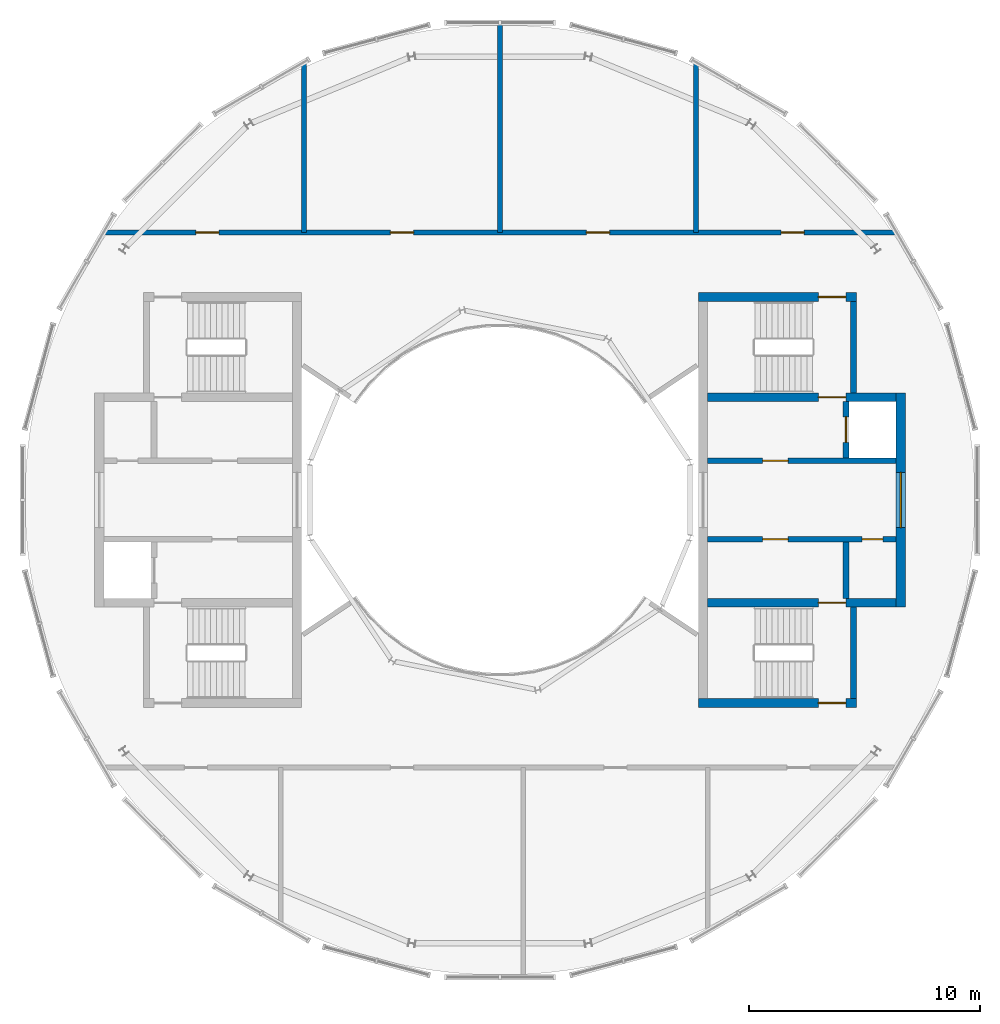
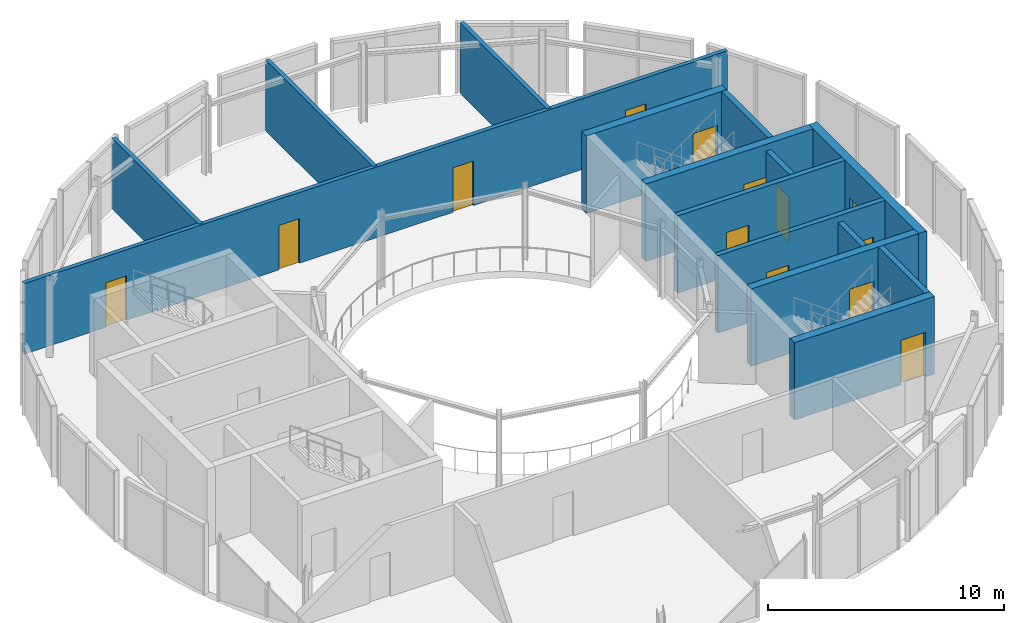
# One storey, part 9 of 12: 15 walls, 12 doors, 1 window, 13 openings.
"""IFC4 building model written with IfcOpenShell, lengths in metres."""

from ifc_helpers import new_model, si_unit, direction, frame, frame_2d, origin, place, context, subcontext, project, spatial, rectangle, extrude, material, layer, layer_set, type_object, element, fill, save


model = new_model("IFC4")

# Units and contexts
model_context = context("Model", 3, precision=1e-05, world=origin(), true_north=direction((0.0, 1.0)))
body_context = subcontext(model_context, "Body", "Model", "MODEL_VIEW")
ifc_project = project(units=[si_unit("LENGTHUNIT", "METRE"), si_unit("AREAUNIT", "SQUARE_METRE"), si_unit("VOLUMEUNIT", "CUBIC_METRE"), si_unit("PLANEANGLEUNIT", "RADIAN"), si_unit("MASSUNIT", "GRAM", prefix="KILO")], contexts=[model_context])

# Site, building, storey
site_placement = place(None, origin())
site = spatial("IfcSite", under=ifc_project, at=site_placement, CompositionType="ELEMENT")
building_placement = place(site_placement, origin())
building = spatial("IfcBuilding", under=site, at=building_placement, Name="Maasbend Ring Residences", CompositionType="ELEMENT")
storey_placement = place(building_placement, frame((0.0, 0.0, 261.5)))
storey = spatial("IfcBuildingStorey", under=building, at=storey_placement, Name="L75", CompositionType="ELEMENT", Elevation=261.5)

# Walls
ifc_material_1 = material(Name="Concrete C30/37", Category="concrete")
ifc_layer_1 = layer(ifc_material_1, 0.199951171875)
ifc_layer_set_1 = layer_set([ifc_layer_1], Name="Concrete C30/37")
wall_type_1 = type_object("IfcWallType", Name="COMPARTMENT WALL 200 CONCRETE", PredefinedType="PARTITIONING", material=ifc_layer_set_1)
wall_1_placement = place(storey_placement, frame((8.5, 11.60009765625, 0.0), z_axis=(0.0, 0.0, 1.0), x_axis=(0.0, 1.0, 0.0)))
element("IfcWall", 1, at=wall_1_placement, inside=storey, type_object=wall_type_1, Name="U-L75-w003", PredefinedType="PARTITIONING", context=body_context, shape_type="SweptSolid", body=[
    extrude(rectangle(XDim=7.365966796875, YDim=0.199951171875, at=frame_2d((3.68310546875, 0.0))), origin(), (0.0, 0.0, 1.0), 3.64990234375),
])
wall_2_placement = place(storey_placement, frame((0.0, 11.60009765625, 0.0), z_axis=(0.0, 0.0, 1.0), x_axis=(0.0, 1.0, 0.0)))
element("IfcWall", 2, at=wall_2_placement, inside=storey, type_object=wall_type_1, Name="U-L75-w007", PredefinedType="PARTITIONING", context=body_context, shape_type="SweptSolid", body=[
    extrude(rectangle(XDim=9.0908203125, YDim=0.199951171875, at=frame_2d((4.54541015625, 0.0))), origin(), (0.0, 0.0, 1.0), 3.64990234375),
])
wall_3_placement = place(storey_placement, frame((-8.5, 11.60009765625, 0.0), z_axis=(0.0, 0.0, 1.0), x_axis=(0.0, 1.0, 0.0)))
element("IfcWall", 3, at=wall_3_placement, inside=storey, type_object=wall_type_1, Name="U-L75-w010", PredefinedType="PARTITIONING", context=body_context, shape_type="SweptSolid", body=[
    extrude(rectangle(XDim=7.365966796875, YDim=0.199951171875, at=frame_2d((3.68310546875, 0.0))), origin(), (0.0, 0.0, 1.0), 3.64990234375),
])

# Wall, openings, doors
wall_4_placement = place(storey_placement, frame((-17.177001953125, 11.60009765625, 0.0), z_axis=(0.0, 0.0, 1.0), x_axis=(1.0, 0.0, 0.0)))
wall_4 = element("IfcWall", 4, at=wall_4_placement, inside=storey, type_object=wall_type_1, Name="U-L75-w012", PredefinedType="PARTITIONING", context=body_context, shape_type="SweptSolid", body=[
    extrude(rectangle(XDim=34.35400390625, YDim=0.199951171875, at=frame_2d((17.177001953125, 0.0))), origin(), (0.0, 0.0, 1.0), 3.64990234375),
])
opening_1_placement = place(wall_4_placement, frame((3.990966796875, 0.0, 0.0)))
opening_1 = element("IfcOpeningElement", 5, at=opening_1_placement, cuts=wall_4, Name="Opening D-7501", PredefinedType="OPENING", context=body_context, shape_type="SweptSolid", body=[
    extrude(rectangle(XDim=1.0, YDim=2.300048828125, at=frame_2d((0.5, 1.14990234375))), frame((0.0, 0.10986328125, 0.0), z_axis=(0.0, -1.0, 0.0), x_axis=(1.0, 0.0, 0.0)), (0.0, 0.0, 1.0), 0.219970703125),
])
opening_2_placement = place(wall_4_placement, frame((12.427001953125, 0.0, 0.0)))
opening_2 = element("IfcOpeningElement", 6, at=opening_2_placement, cuts=wall_4, Name="Opening D-7502", PredefinedType="OPENING", context=body_context, shape_type="SweptSolid", body=[
    extrude(rectangle(XDim=1.0, YDim=2.300048828125, at=frame_2d((0.5, 1.14990234375))), frame((0.0, 0.10986328125, 0.0), z_axis=(0.0, -1.0, 0.0), x_axis=(1.0, 0.0, 0.0)), (0.0, 0.0, 1.0), 0.219970703125),
])
opening_3_placement = place(wall_4_placement, frame((20.927001953125, 0.0, 0.0)))
opening_3 = element("IfcOpeningElement", 7, at=opening_3_placement, cuts=wall_4, Name="Opening D-7503", PredefinedType="OPENING", context=body_context, shape_type="SweptSolid", body=[
    extrude(rectangle(XDim=1.0, YDim=2.300048828125, at=frame_2d((0.5, 1.14990234375))), frame((0.0, 0.10986328125, 0.0), z_axis=(0.0, -1.0, 0.0), x_axis=(1.0, 0.0, 0.0)), (0.0, 0.0, 1.0), 0.219970703125),
])
opening_4_placement = place(wall_4_placement, frame((29.363037109375, 0.0, 0.0)))
opening_4 = element("IfcOpeningElement", 8, at=opening_4_placement, cuts=wall_4, Name="Opening D-7504", PredefinedType="OPENING", context=body_context, shape_type="SweptSolid", body=[
    extrude(rectangle(XDim=1.0, YDim=2.300048828125, at=frame_2d((0.5, 1.14990234375))), frame((0.0, 0.10986328125, 0.0), z_axis=(0.0, -1.0, 0.0), x_axis=(1.0, 0.0, 0.0)), (0.0, 0.0, 1.0), 0.219970703125),
])
ifc_material_2 = material(Name="Steel, fire-rated, painted", Category="steel")
door_type_1 = type_object("IfcDoorType", Name="PLANT DOOR 1000 X 2300 FIRE-RATED", OperationType="NOTDEFINED", PredefinedType="DOOR", material=ifc_material_2)
door_1_placement = place(opening_1_placement, origin())
door_1 = element("IfcDoor", 9, at=door_1_placement, inside=storey, type_object=door_type_1, Name="D-7501", OperationType="SINGLE_SWING_LEFT", OverallHeight=2.300048828125, OverallWidth=1.0, PredefinedType="DOOR", context=body_context, shape_type="SweptSolid", body=[
    extrude(rectangle(XDim=1.0, YDim=2.300048828125, at=frame_2d((0.5, 1.14990234375))), frame((0.0, 0.02490234375, 0.0), z_axis=(0.0, -1.0, 0.0), x_axis=(1.0, 0.0, 0.0)), (0.0, 0.0, 1.0), 0.050048828125),
])
fill(opening_1, door_1)
door_2_placement = place(opening_2_placement, origin())
door_2 = element("IfcDoor", 10, at=door_2_placement, inside=storey, type_object=door_type_1, Name="D-7502", OperationType="SINGLE_SWING_LEFT", OverallHeight=2.300048828125, OverallWidth=1.0, PredefinedType="DOOR", context=body_context, shape_type="SweptSolid", body=[
    extrude(rectangle(XDim=1.0, YDim=2.300048828125, at=frame_2d((0.5, 1.14990234375))), frame((0.0, 0.02490234375, 0.0), z_axis=(0.0, -1.0, 0.0), x_axis=(1.0, 0.0, 0.0)), (0.0, 0.0, 1.0), 0.050048828125),
])
fill(opening_2, door_2)
door_3_placement = place(opening_3_placement, origin())
door_3 = element("IfcDoor", 11, at=door_3_placement, inside=storey, type_object=door_type_1, Name="D-7503", OperationType="SINGLE_SWING_RIGHT", OverallHeight=2.300048828125, OverallWidth=1.0, PredefinedType="DOOR", context=body_context, shape_type="SweptSolid", body=[
    extrude(rectangle(XDim=1.0, YDim=2.300048828125, at=frame_2d((0.5, 1.14990234375))), frame((0.0, 0.02490234375, 0.0), z_axis=(0.0, -1.0, 0.0), x_axis=(1.0, 0.0, 0.0)), (0.0, 0.0, 1.0), 0.050048828125),
])
fill(opening_3, door_3)
door_4_placement = place(opening_4_placement, origin())
door_4 = element("IfcDoor", 12, at=door_4_placement, inside=storey, type_object=door_type_1, Name="D-7504", OperationType="SINGLE_SWING_RIGHT", OverallHeight=2.300048828125, OverallWidth=1.0, PredefinedType="DOOR", context=body_context, shape_type="SweptSolid", body=[
    extrude(rectangle(XDim=1.0, YDim=2.300048828125, at=frame_2d((0.5, 1.14990234375))), frame((0.0, 0.02490234375, 0.0), z_axis=(0.0, -1.0, 0.0), x_axis=(1.0, 0.0, 0.0)), (0.0, 0.0, 1.0), 0.050048828125),
])
fill(opening_4, door_4)

# Wall, opening, door
ifc_material_3 = material(Name="Concrete C50/60", Category="concrete")
ifc_layer_2 = layer(ifc_material_3, 0.25)
ifc_layer_set_2 = layer_set([ifc_layer_2], Name="Concrete C50/60")
wall_type_2 = type_object("IfcWallType", Name="CORE WALL 250 C50/60", PredefinedType="SHEAR", material=ifc_layer_set_2)
wall_5_placement = place(storey_placement, frame((9.0, 1.699951171875, 0.0), z_axis=(0.0, 0.0, 1.0), x_axis=(1.0, 0.0, 0.0)))
wall_5 = element("IfcWall", 13, at=wall_5_placement, inside=storey, type_object=wall_type_2, Name="L75 core E wall SPN", PredefinedType="SHEAR", context=body_context, shape_type="SweptSolid", body=[
    extrude(rectangle(XDim=8.175048828125, YDim=0.25, at=frame_2d((4.08740234375, 0.0))), origin(), (0.0, 0.0, 1.0), 4.0),
])
opening_5_placement = place(wall_5_placement, frame((2.387451171875, 0.0, 0.0)))
opening_5 = element("IfcOpeningElement", 14, at=opening_5_placement, cuts=wall_5, Name="Opening D-E7502", PredefinedType="OPENING", context=body_context, shape_type="SweptSolid", body=[
    extrude(rectangle(XDim=1.10009765625, YDim=2.300048828125, at=frame_2d((0.550048828125, 1.14990234375))), frame((0.0, 0.135009765625, 0.0), z_axis=(0.0, -1.0, 0.0), x_axis=(1.0, 0.0, 0.0)), (0.0, 0.0, 1.0), 0.27001953125),
])
ifc_material_4 = material(Name="Steel, powder coated", Category="steel")
door_type_2 = type_object("IfcDoorType", Name="LOBBY DOOR 1100 X 2300 FD60", OperationType="NOTDEFINED", PredefinedType="DOOR", material=ifc_material_4)
door_5_placement = place(opening_5_placement, origin())
door_5 = element("IfcDoor", 15, at=door_5_placement, inside=storey, type_object=door_type_2, Name="Lobby door L75", OperationType="SINGLE_SWING_RIGHT", OverallHeight=2.300048828125, OverallWidth=1.10009765625, PredefinedType="DOOR", context=body_context, shape_type="SweptSolid", body=[
    extrude(rectangle(XDim=1.10009765625, YDim=2.300048828125, at=frame_2d((0.550048828125, 1.14990234375))), frame((0.0, 0.02490234375, 0.0), z_axis=(0.0, -1.0, 0.0), x_axis=(1.0, 0.0, 0.0)), (0.0, 0.0, 1.0), 0.050048828125),
])
fill(opening_5, door_5)

# Wall
wall_6_placement = place(storey_placement, frame((15.324951171875, 4.64990234375, 0.0), z_axis=(0.0, 0.0, 1.0), x_axis=(0.0, 1.0, 0.0)))
element("IfcWall", 16, at=wall_6_placement, inside=storey, type_object=wall_type_2, Name="L75 core E wall STEN", PredefinedType="SHEAR", context=body_context, shape_type="SweptSolid", body=[
    extrude(rectangle(XDim=3.9501953125, YDim=0.25, at=frame_2d((1.97509765625, 0.0))), origin(), (0.0, 0.0, 1.0), 4.0),
])

# Wall, openings, doors
wall_7_placement = place(storey_placement, frame((17.175048828125, -1.699951171875, 0.0), z_axis=(0.0, 0.0, 1.0), x_axis=(-1.0, 0.0, 0.0)))
wall_7 = element("IfcWall", 17, at=wall_7_placement, inside=storey, type_object=wall_type_2, Name="L75 core E wall SPS", PredefinedType="SHEAR", context=body_context, shape_type="SweptSolid", body=[
    extrude(rectangle(XDim=8.175048828125, YDim=0.25, at=frame_2d((4.08740234375, 0.0))), origin(), (0.0, 0.0, 1.0), 4.0),
])
opening_6_placement = place(wall_7_placement, frame((4.6875, 0.0, 0.0)))
opening_6 = element("IfcOpeningElement", 18, at=opening_6_placement, cuts=wall_7, Name="Opening D-E7503", PredefinedType="OPENING", context=body_context, shape_type="SweptSolid", body=[
    extrude(rectangle(XDim=1.10009765625, YDim=2.300048828125, at=frame_2d((0.550048828125, 1.14990234375))), frame((0.0, 0.135009765625, 0.0), z_axis=(0.0, -1.0, 0.0), x_axis=(1.0, 0.0, 0.0)), (0.0, 0.0, 1.0), 0.27001953125),
])
opening_7_placement = place(wall_7_placement, frame((0.574951171875, 0.0, 0.0)))
opening_7 = element("IfcOpeningElement", 19, at=opening_7_placement, cuts=wall_7, Name="Opening D-E7504", PredefinedType="OPENING", context=body_context, shape_type="SweptSolid", body=[
    extrude(rectangle(XDim=0.89990234375, YDim=2.300048828125, at=frame_2d((0.449951171875, 1.14990234375))), frame((0.0, 0.135009765625, 0.0), z_axis=(0.0, -1.0, 0.0), x_axis=(1.0, 0.0, 0.0)), (0.0, 0.0, 1.0), 0.27001953125),
])
ifc_material_5 = material(Name="Steel, powder coated", Category="steel")
door_type_3 = type_object("IfcDoorType", Name="ROOM DOOR 1100 X 2300 FD30S", OperationType="NOTDEFINED", PredefinedType="DOOR", material=ifc_material_5)
door_6_placement = place(opening_6_placement, origin())
door_6 = element("IfcDoor", 20, at=door_6_placement, inside=storey, type_object=door_type_3, Name="Room door L75", OperationType="SINGLE_SWING_LEFT", OverallHeight=2.300048828125, OverallWidth=1.10009765625, PredefinedType="DOOR", context=body_context, shape_type="SweptSolid", body=[
    extrude(rectangle(XDim=1.10009765625, YDim=2.300048828125, at=frame_2d((0.550048828125, 1.14990234375))), frame((0.0, 0.02490234375, 0.0), z_axis=(0.0, -1.0, 0.0), x_axis=(1.0, 0.0, 0.0)), (0.0, 0.0, 1.0), 0.050048828125),
])
fill(opening_6, door_6)
ifc_material_6 = material(Name="Steel, powder coated", Category="steel")
door_type_4 = type_object("IfcDoorType", Name="ROOM DOOR 900 X 2300 FD30S", OperationType="NOTDEFINED", PredefinedType="DOOR", material=ifc_material_6)
door_7_placement = place(opening_7_placement, origin())
door_7 = element("IfcDoor", 21, at=door_7_placement, inside=storey, type_object=door_type_4, Name="Room door L75", OperationType="SINGLE_SWING_RIGHT", OverallHeight=2.300048828125, OverallWidth=0.89990234375, PredefinedType="DOOR", context=body_context, shape_type="SweptSolid", body=[
    extrude(rectangle(XDim=0.89990234375, YDim=2.300048828125, at=frame_2d((0.449951171875, 1.14990234375))), frame((0.0, 0.02490234375, 0.0), z_axis=(0.0, -1.0, 0.0), x_axis=(1.0, 0.0, 0.0)), (0.0, 0.0, 1.0), 0.050048828125),
])
fill(opening_7, door_7)

# Wall
wall_8_placement = place(storey_placement, frame((15.324951171875, -4.64990234375, 0.0), z_axis=(0.0, 0.0, 1.0), x_axis=(0.0, -1.0, 0.0)))
element("IfcWall", 22, at=wall_8_placement, inside=storey, type_object=wall_type_2, Name="L75 core E wall STES", PredefinedType="SHEAR", context=body_context, shape_type="SweptSolid", body=[
    extrude(rectangle(XDim=3.9501953125, YDim=0.25, at=frame_2d((1.97509765625, 0.0))), origin(), (0.0, 0.0, 1.0), 4.0),
])

# Wall, opening, door
ifc_material_7 = material(Name="Concrete C50/60", Category="concrete")
ifc_layer_3 = layer(ifc_material_7, 0.375)
ifc_layer_set_3 = layer_set([ifc_layer_3], Name="Concrete C50/60")
wall_type_3 = type_object("IfcWallType", Name="CORE WALL 375 C50/60", PredefinedType="SHEAR", material=ifc_layer_set_3)
wall_9_placement = place(storey_placement, frame((9.0, 4.46240234375, 0.0), z_axis=(0.0, 0.0, 1.0), x_axis=(1.0, 0.0, 0.0)))
wall_9 = element("IfcWall", 23, at=wall_9_placement, inside=storey, type_object=wall_type_3, Name="L75 core E wall BN", PredefinedType="SHEAR", context=body_context, shape_type="SweptSolid", body=[
    extrude(rectangle(XDim=8.175048828125, YDim=0.375, at=frame_2d((4.08740234375, 0.0))), origin(), (0.0, 0.0, 1.0), 4.0),
])
opening_8_placement = place(wall_9_placement, frame((4.800048828125, 0.0, 0.0)))
opening_8 = element("IfcOpeningElement", 24, at=opening_8_placement, cuts=wall_9, Name="Opening D-E7505", PredefinedType="OPENING", context=body_context, shape_type="SweptSolid", body=[
    extrude(rectangle(XDim=1.199951171875, YDim=2.300048828125, at=frame_2d((0.60009765625, 1.14990234375))), frame((0.0, 0.197509765625, 0.0), z_axis=(0.0, -1.0, 0.0), x_axis=(1.0, 0.0, 0.0)), (0.0, 0.0, 1.0), 0.39501953125),
])
ifc_material_8 = material(Name="Steel, powder coated", Category="steel")
door_type_5 = type_object("IfcDoorType", Name="STAIR DOOR 1200 X 2300 FD60", OperationType="NOTDEFINED", PredefinedType="DOOR", material=ifc_material_8)
door_8_placement = place(opening_8_placement, origin())
door_8 = element("IfcDoor", 25, at=door_8_placement, inside=storey, type_object=door_type_5, Name="Stair door ST-E L75", OperationType="SINGLE_SWING_LEFT", OverallHeight=2.300048828125, OverallWidth=1.199951171875, PredefinedType="DOOR", context=body_context, shape_type="SweptSolid", body=[
    extrude(rectangle(XDim=1.199951171875, YDim=2.300048828125, at=frame_2d((0.60009765625, 1.14990234375))), frame((0.0, 0.02490234375, 0.0), z_axis=(0.0, -1.0, 0.0), x_axis=(1.0, 0.0, 0.0)), (0.0, 0.0, 1.0), 0.050048828125),
])
fill(opening_8, door_8)

wall_10_placement = place(storey_placement, frame((17.175048828125, -4.46240234375, 0.0), z_axis=(0.0, 0.0, 1.0), x_axis=(-1.0, 0.0, 0.0)))
wall_10 = element("IfcWall", 26, at=wall_10_placement, inside=storey, type_object=wall_type_3, Name="L75 core E wall BS", PredefinedType="SHEAR", context=body_context, shape_type="SweptSolid", body=[
    extrude(rectangle(XDim=8.175048828125, YDim=0.375, at=frame_2d((4.08740234375, 0.0))), origin(), (0.0, 0.0, 1.0), 4.0),
])
opening_9_placement = place(wall_10_placement, frame((2.175048828125, 0.0, 0.0)))
opening_9 = element("IfcOpeningElement", 27, at=opening_9_placement, cuts=wall_10, Name="Opening D-E7506", PredefinedType="OPENING", context=body_context, shape_type="SweptSolid", body=[
    extrude(rectangle(XDim=1.199951171875, YDim=2.300048828125, at=frame_2d((0.60009765625, 1.14990234375))), frame((0.0, 0.197509765625, 0.0), z_axis=(0.0, -1.0, 0.0), x_axis=(1.0, 0.0, 0.0)), (0.0, 0.0, 1.0), 0.39501953125),
])
door_9_placement = place(opening_9_placement, origin())
door_9 = element("IfcDoor", 28, at=door_9_placement, inside=storey, type_object=door_type_5, Name="Stair door ST-E L75", OperationType="SINGLE_SWING_RIGHT", OverallHeight=2.300048828125, OverallWidth=1.199951171875, PredefinedType="DOOR", context=body_context, shape_type="SweptSolid", body=[
    extrude(rectangle(XDim=1.199951171875, YDim=2.300048828125, at=frame_2d((0.60009765625, 1.14990234375))), frame((0.0, 0.02490234375, 0.0), z_axis=(0.0, -1.0, 0.0), x_axis=(1.0, 0.0, 0.0)), (0.0, 0.0, 1.0), 0.050048828125),
])
fill(opening_9, door_9)

ifc_material_9 = material(Name="Concrete C50/60", Category="concrete")
ifc_layer_4 = layer(ifc_material_9, 0.39990234375)
ifc_layer_set_4 = layer_set([ifc_layer_4], Name="Concrete C50/60")
wall_type_4 = type_object("IfcWallType", Name="CORE WALL 400 C50/60", PredefinedType="SHEAR", material=ifc_layer_set_4)
wall_11_placement = place(storey_placement, frame((15.449951171875, 8.800048828125, 0.0), z_axis=(0.0, 0.0, 1.0), x_axis=(-1.0, 0.0, 0.0)))
wall_11 = element("IfcWall", 29, at=wall_11_placement, inside=storey, type_object=wall_type_4, Name="L75 core E wall PN", PredefinedType="SHEAR", context=body_context, shape_type="SweptSolid", body=[
    extrude(rectangle(XDim=6.849853515625, YDim=0.39990234375, at=frame_2d((3.4248046875, 0.0))), origin(), (0.0, 0.0, 1.0), 4.0),
])
opening_10_placement = place(wall_11_placement, frame((0.449951171875, 0.0, 0.0)))
opening_10 = element("IfcOpeningElement", 30, at=opening_10_placement, cuts=wall_11, Name="Opening D-E7507", PredefinedType="OPENING", context=body_context, shape_type="SweptSolid", body=[
    extrude(rectangle(XDim=1.199951171875, YDim=2.300048828125, at=frame_2d((0.60009765625, 1.14990234375))), frame((0.0, 0.2099609375, 0.0), z_axis=(0.0, -1.0, 0.0), x_axis=(1.0, 0.0, 0.0)), (0.0, 0.0, 1.0), 0.419921875),
])
door_10_placement = place(opening_10_placement, origin())
door_10 = element("IfcDoor", 31, at=door_10_placement, inside=storey, type_object=door_type_5, Name="Stair door ST-E L75", OperationType="SINGLE_SWING_RIGHT", OverallHeight=2.300048828125, OverallWidth=1.199951171875, PredefinedType="DOOR", context=body_context, shape_type="SweptSolid", body=[
    extrude(rectangle(XDim=1.199951171875, YDim=2.300048828125, at=frame_2d((0.60009765625, 1.14990234375))), frame((0.0, 0.02490234375, 0.0), z_axis=(0.0, -1.0, 0.0), x_axis=(1.0, 0.0, 0.0)), (0.0, 0.0, 1.0), 0.050048828125),
])
fill(opening_10, door_10)

wall_12_placement = place(storey_placement, frame((8.60009765625, -8.800048828125, 0.0), z_axis=(0.0, 0.0, 1.0), x_axis=(1.0, 0.0, 0.0)))
wall_12 = element("IfcWall", 32, at=wall_12_placement, inside=storey, type_object=wall_type_4, Name="L75 core E wall PS", PredefinedType="SHEAR", context=body_context, shape_type="SweptSolid", body=[
    extrude(rectangle(XDim=6.849853515625, YDim=0.39990234375, at=frame_2d((3.4248046875, 0.0))), origin(), (0.0, 0.0, 1.0), 4.0),
])
opening_11_placement = place(wall_12_placement, frame((5.199951171875, 0.0, 0.0)))
opening_11 = element("IfcOpeningElement", 33, at=opening_11_placement, cuts=wall_12, Name="Opening D-E7508", PredefinedType="OPENING", context=body_context, shape_type="SweptSolid", body=[
    extrude(rectangle(XDim=1.199951171875, YDim=2.300048828125, at=frame_2d((0.60009765625, 1.14990234375))), frame((0.0, 0.2099609375, 0.0), z_axis=(0.0, -1.0, 0.0), x_axis=(1.0, 0.0, 0.0)), (0.0, 0.0, 1.0), 0.419921875),
])
door_11_placement = place(opening_11_placement, origin())
door_11 = element("IfcDoor", 34, at=door_11_placement, inside=storey, type_object=door_type_5, Name="Stair door ST-E L75", OperationType="SINGLE_SWING_LEFT", OverallHeight=2.300048828125, OverallWidth=1.199951171875, PredefinedType="DOOR", context=body_context, shape_type="SweptSolid", body=[
    extrude(rectangle(XDim=1.199951171875, YDim=2.300048828125, at=frame_2d((0.60009765625, 1.14990234375))), frame((0.0, 0.02490234375, 0.0), z_axis=(0.0, -1.0, 0.0), x_axis=(1.0, 0.0, 0.0)), (0.0, 0.0, 1.0), 0.050048828125),
])
fill(opening_11, door_11)

# Wall, opening, window
wall_13_placement = place(storey_placement, frame((17.375, -4.64990234375, 0.0), z_axis=(0.0, 0.0, 1.0), x_axis=(0.0, 1.0, 0.0)))
wall_13 = element("IfcWall", 35, at=wall_13_placement, inside=storey, type_object=wall_type_4, Name="L75 core E wall POUT", PredefinedType="SHEAR", context=body_context, shape_type="SweptSolid", body=[
    extrude(rectangle(XDim=9.2998046875, YDim=0.39990234375, at=frame_2d((4.64990234375, 0.0))), origin(), (0.0, 0.0, 1.0), 4.0),
])
opening_12_placement = place(wall_13_placement, frame((3.449951171875, 0.0, 0.10009765625)))
opening_12 = element("IfcOpeningElement", 36, at=opening_12_placement, cuts=wall_13, Name="Opening W-E7502", PredefinedType="OPENING", context=body_context, shape_type="SweptSolid", body=[
    extrude(rectangle(XDim=2.39990234375, YDim=2.199951171875, at=frame_2d((1.199951171875, 1.10009765625))), frame((0.0, 0.2099609375, 0.0), z_axis=(0.0, -1.0, 0.0), x_axis=(1.0, 0.0, 0.0)), (0.0, 0.0, 1.0), 0.419921875),
])
ifc_material_10 = material(Name="Aluminium frame and clear glass", Category="aluminium")
window_type = type_object("IfcWindowType", Name="FIXED WINDOW 2400 X 2200", PartitioningType="SINGLE_PANEL", PredefinedType="WINDOW", material=ifc_material_10)
window_placement = place(opening_12_placement, origin())
window = element("IfcWindow", 37, at=window_placement, inside=storey, type_object=window_type, Name="Lobby window L75", OverallHeight=2.199951171875, OverallWidth=2.39990234375, PartitioningType="SINGLE_PANEL", PredefinedType="WINDOW", context=body_context, shape_type="SweptSolid", body=[
    extrude(rectangle(XDim=2.39990234375, YDim=2.199951171875, at=frame_2d((1.199951171875, 1.10009765625))), frame((0.0, 0.030029296875, 0.0), z_axis=(0.0, -1.0, 0.0), x_axis=(1.0, 0.0, 0.0)), (0.0, 0.0, 1.0), 0.06005859375),
])
fill(opening_12, window)

# Wall, opening, door
ifc_material_11 = material(Name="Concrete C30/37", Category="concrete")
ifc_layer_5 = layer(ifc_material_11, 0.25)
ifc_layer_set_5 = layer_set([ifc_layer_5], Name="Concrete C30/37")
wall_type_5 = type_object("IfcWallType", Name="SHAFT WALL 250 EI 120", PredefinedType="SOLIDWALL", material=ifc_layer_set_5)
wall_14_placement = place(storey_placement, frame((15.0, 1.824951171875, 0.0), z_axis=(0.0, 0.0, 1.0), x_axis=(0.0, 1.0, 0.0)))
wall_14 = element("IfcWall", 38, at=wall_14_placement, inside=storey, type_object=wall_type_5, Name="L75 core E wall D150N", PredefinedType="SOLIDWALL", context=body_context, shape_type="SweptSolid", body=[
    extrude(rectangle(XDim=2.449951171875, YDim=0.25, at=frame_2d((1.22509765625, 0.0))), origin(), (0.0, 0.0, 1.0), 3.64990234375),
])
opening_13_placement = place(wall_14_placement, frame((0.675048828125, 0.0, 0.0)))
opening_13 = element("IfcOpeningElement", 39, at=opening_13_placement, cuts=wall_14, Name="Opening LD-E7501", PredefinedType="OPENING", context=body_context, shape_type="SweptSolid", body=[
    extrude(rectangle(XDim=1.10009765625, YDim=2.300048828125, at=frame_2d((0.550048828125, 1.14990234375))), frame((0.0, 0.135009765625, 0.0), z_axis=(0.0, -1.0, 0.0), x_axis=(1.0, 0.0, 0.0)), (0.0, 0.0, 1.0), 0.27001953125),
])
ifc_material_12 = material(Name="Stainless steel 316", Category="steel")
door_type_6 = type_object("IfcDoorType", Name="LANDING DOOR 1100 X 2300 FD60", OperationType="DOUBLE_DOOR_SLIDING", PredefinedType="DOOR", material=ifc_material_12)
door_12_placement = place(opening_13_placement, origin())
door_12 = element("IfcDoor", 40, at=door_12_placement, inside=storey, type_object=door_type_6, Name="Landing door FF-E L75", OperationType="DOUBLE_DOOR_SLIDING", OverallHeight=2.300048828125, OverallWidth=1.10009765625, PredefinedType="DOOR", context=body_context, shape_type="SweptSolid", body=[
    extrude(rectangle(XDim=1.10009765625, YDim=2.300048828125, at=frame_2d((0.550048828125, 1.14990234375))), frame((0.0, 0.02490234375, 0.0), z_axis=(0.0, -1.0, 0.0), x_axis=(1.0, 0.0, 0.0)), (0.0, 0.0, 1.0), 0.050048828125),
])
fill(opening_13, door_12)

# Wall
wall_15_placement = place(storey_placement, frame((15.0, -1.824951171875, 0.0), z_axis=(0.0, 0.0, 1.0), x_axis=(0.0, -1.0, 0.0)))
element("IfcWall", 41, at=wall_15_placement, inside=storey, type_object=wall_type_5, Name="L75 core E wall D150S", PredefinedType="SOLIDWALL", context=body_context, shape_type="SweptSolid", body=[
    extrude(rectangle(XDim=2.449951171875, YDim=0.25, at=frame_2d((1.22509765625, 0.0))), origin(), (0.0, 0.0, 1.0), 3.64990234375),
])

save(model, "model.ifc")
